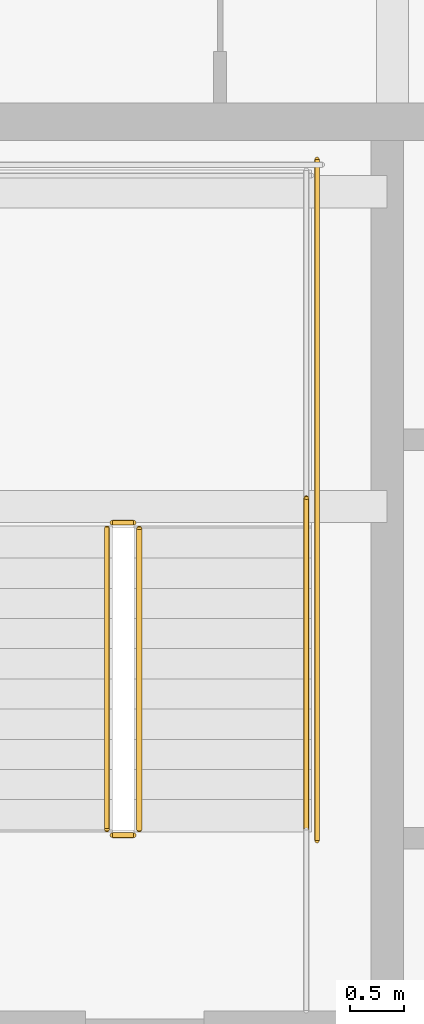
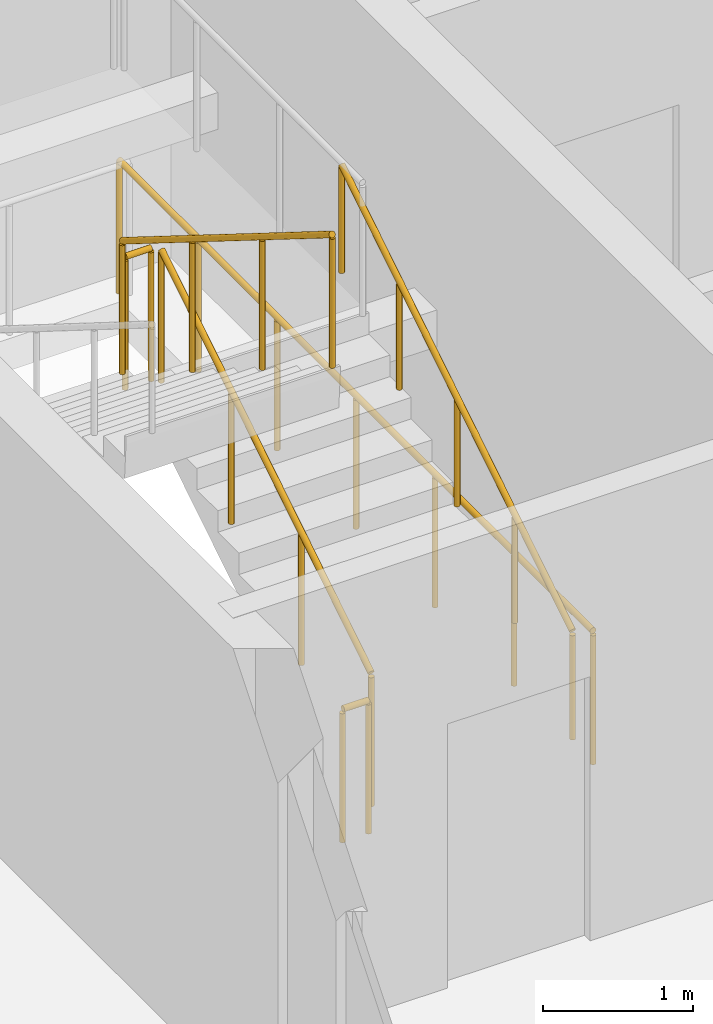
# One storey, part 33 of 36: 6 railings.
"""IFC4 building model written with IfcOpenShell, lengths in metres."""

from ifc_helpers import new_model, si_unit, direction, frame, origin, origin_2d, place, context, subcontext, project, spatial, circle, extrude, material, type_object, element, save


model = new_model("IFC4")

# Units and contexts
model_context = context("Model", 3, precision=1e-05, world=origin(), true_north=direction((0.0, 1.0)))
body_context = subcontext(model_context, "Body", "Model", "MODEL_VIEW")
ifc_project = project(units=[si_unit("LENGTHUNIT", "METRE"), si_unit("AREAUNIT", "SQUARE_METRE"), si_unit("VOLUMEUNIT", "CUBIC_METRE"), si_unit("PLANEANGLEUNIT", "RADIAN"), si_unit("MASSUNIT", "GRAM", prefix="KILO")], contexts=[model_context])

# Site, building, storey
site_placement = place(None, origin())
site = spatial("IfcSite", under=ifc_project, at=site_placement, CompositionType="ELEMENT")
building_placement = place(site_placement, origin())
building = spatial("IfcBuilding", under=site, at=building_placement, Name="Serunith Strait Residences", CompositionType="ELEMENT")
storey_placement = place(building_placement, frame((0.0, 0.0, 225.85009765625)))
storey = spatial("IfcBuildingStorey", under=building, at=storey_placement, Name="L56", CompositionType="ELEMENT", Elevation=225.85009765625)

# Railings
ifc_material = material(Name="Brushed stainless steel 316L", Category="steel")
railing_type_1 = type_object("IfcRailingType", Name="RLG-STAIR-GUARD", PredefinedType="BALUSTRADE", material=ifc_material)
railing_1_placement = place(storey_placement, frame((25.550048828125, 27.030029296875, 0.1748046875)))
element("IfcRailing", 1, at=railing_1_placement, inside=storey, type_object=railing_type_1, Name="L56 ST-1 stair guard 1", PredefinedType="BALUSTRADE", context=body_context, shape_type="SweptSolid", body=[
    extrude(circle(Radius=0.02392578125, at=origin_2d()), frame((0.0, 0.001708984375, 1.0771484375), z_axis=(0.0, 0.848002457836, 0.529992293815), x_axis=(-1.0, 0.0, 0.0)), (0.0, 0.0, 1.0), 3.2978515625),
    extrude(circle(Radius=0.02099609375, at=origin_2d()), origin(), (0.0, 0.0, 1.0), 1.050048828125),
    extrude(circle(Radius=0.02099609375, at=origin_2d()), frame((0.0, 0.933349609375, 0.583251953125)), (0.0, 0.0, 1.0), 1.050048828125),
    extrude(circle(Radius=0.02099609375, at=origin_2d()), frame((0.0, 1.86669921875, 1.166748046875)), (0.0, 0.0, 1.0), 1.050048828125),
    extrude(circle(Radius=0.02099609375, at=origin_2d()), frame((0.0, 2.800048828125, 1.75)), (0.0, 0.0, 1.0), 1.050048828125),
])
railing_2_placement = place(storey_placement, frame((25.5, 29.8798828125, 1.9248046875)))
element("IfcRailing", 2, at=railing_2_placement, inside=storey, type_object=railing_type_1, Name="L56 ST-1 stair guard 2", PredefinedType="BALUSTRADE", context=body_context, shape_type="SweptSolid", body=[
    extrude(circle(Radius=0.02392578125, at=origin_2d()), frame((-0.001953125, 0.0, 1.076171875), z_axis=(-1.0, 0.0, 0.0), x_axis=(0.0, -1.0, 0.0)), (0.0, 0.0, 1.0), 0.196044921875),
    extrude(circle(Radius=0.02099609375, at=origin_2d()), origin(), (0.0, 0.0, 1.0), 1.050048828125),
    extrude(circle(Radius=0.02099609375, at=origin_2d()), frame((-0.199951171875, 0.0, 0.0)), (0.0, 0.0, 1.0), 1.050048828125),
])
railing_3_placement = place(storey_placement, frame((25.25, 29.830078125, 2.099853515625)))
element("IfcRailing", 3, at=railing_3_placement, inside=storey, type_object=railing_type_1, Name="L56 ST-1 stair guard 6", PredefinedType="BALUSTRADE", context=body_context, shape_type="SweptSolid", body=[
    extrude(circle(Radius=0.02392578125, at=origin_2d()), frame((0.0, -0.001708984375, 1.0771484375), z_axis=(0.0, -0.848002457836, 0.529992293815), x_axis=(1.0, 0.0, 0.0)), (0.0, 0.0, 1.0), 3.2978515625),
    extrude(circle(Radius=0.02099609375, at=origin_2d()), origin(), (0.0, 0.0, 1.0), 1.050048828125),
    extrude(circle(Radius=0.02099609375, at=origin_2d()), frame((0.0, -0.933349609375, 0.583251953125)), (0.0, 0.0, 1.0), 1.050048828125),
    extrude(circle(Radius=0.02099609375, at=origin_2d()), frame((0.0, -1.86669921875, 1.166748046875)), (0.0, 0.0, 1.0), 1.050048828125),
    extrude(circle(Radius=0.02099609375, at=origin_2d()), frame((0.0, -2.800048828125, 1.75)), (0.0, 0.0, 1.0), 1.050048828125),
])
railing_4_placement = place(storey_placement, frame((25.5, 26.97998046875, 0.0)))
element("IfcRailing", 4, at=railing_4_placement, inside=storey, type_object=railing_type_1, Name="L56 ST-1 stair guard 7", PredefinedType="BALUSTRADE", context=body_context, shape_type="SweptSolid", body=[
    extrude(circle(Radius=0.02392578125, at=origin_2d()), frame((-0.001953125, 0.0, 1.076171875), z_axis=(-1.0, 0.0, 0.0), x_axis=(0.0, -1.0, 0.0)), (0.0, 0.0, 1.0), 0.196044921875),
    extrude(circle(Radius=0.02099609375, at=origin_2d()), origin(), (0.0, 0.0, 1.0), 1.050048828125),
    extrude(circle(Radius=0.02099609375, at=origin_2d()), frame((-0.199951171875, 0.0, 0.0)), (0.0, 0.0, 1.0), 1.050048828125),
])
railing_5_placement = place(storey_placement, frame((27.199951171875, 26.929931640625, 0.0)))
element("IfcRailing", 5, at=railing_5_placement, inside=storey, type_object=railing_type_1, Name="L56 ST-1 stair guard 10", PredefinedType="BALUSTRADE", context=body_context, shape_type="SweptSolid", body=[
    extrude(circle(Radius=0.02392578125, at=origin_2d()), frame((0.0, 0.001953125, 1.076171875), z_axis=(0.0, 1.0, 0.0), x_axis=(-1.0, 0.0, 0.0)), (0.0, 0.0, 1.0), 6.316162109375),
    extrude(circle(Radius=0.02099609375, at=origin_2d()), origin(), (0.0, 0.0, 1.0), 1.050048828125),
    extrude(circle(Radius=0.02099609375, at=origin_2d()), frame((0.0, 1.05322265625, 0.0)), (0.0, 0.0, 1.0), 1.050048828125),
    extrude(circle(Radius=0.02099609375, at=origin_2d()), frame((0.0, 2.106689453125, 0.0)), (0.0, 0.0, 1.0), 1.050048828125),
    extrude(circle(Radius=0.02099609375, at=origin_2d()), frame((0.0, 3.16015625, 0.0)), (0.0, 0.0, 1.0), 1.050048828125),
    extrude(circle(Radius=0.02099609375, at=origin_2d()), frame((0.0, 4.21337890625, 0.0)), (0.0, 0.0, 1.0), 1.050048828125),
    extrude(circle(Radius=0.02099609375, at=origin_2d()), frame((0.0, 5.2666015625, 0.0)), (0.0, 0.0, 1.0), 1.050048828125),
    extrude(circle(Radius=0.02099609375, at=origin_2d()), frame((0.0, 6.320068359375, 0.0)), (0.0, 0.0, 1.0), 1.050048828125),
])
railing_type_2 = type_object("IfcRailingType", Name="RLG-STAIR-HR", PredefinedType="HANDRAIL", material=ifc_material)
railing_6_placement = place(storey_placement, frame((27.10009765625, 27.030029296875, 0.1748046875)))
element("IfcRailing", 6, at=railing_6_placement, inside=storey, type_object=railing_type_2, Name="L56 ST-1 stair handrail 1", PredefinedType="HANDRAIL", context=body_context, shape_type="SweptSolid", body=[
    extrude(circle(Radius=0.02392578125, at=origin_2d()), frame((0.0, 0.001708984375, 0.876953125), z_axis=(0.0, 0.847363772988, 0.531012839984), x_axis=(-1.0, 0.0, 0.0)), (0.0, 0.0, 1.0), 3.630859375),
    extrude(circle(Radius=0.02099609375, at=origin_2d()), origin(), (0.0, 0.0, 1.0), 0.849853515625),
    extrude(circle(Radius=0.02099609375, at=origin_2d()), frame((0.0, 0.77001953125, 0.482421875)), (0.0, 0.0, 1.0), 0.849853515625),
    extrude(circle(Radius=0.02099609375, at=origin_2d()), frame((0.0, 1.5400390625, 0.965087890625)), (0.0, 0.0, 1.0), 0.849853515625),
    extrude(circle(Radius=0.02099609375, at=origin_2d()), frame((0.0, 2.31005859375, 1.44775390625)), (0.0, 0.0, 1.0), 0.849853515625),
    extrude(circle(Radius=0.02099609375, at=origin_2d()), frame((0.0, 3.080078125, 1.93017578125)), (0.0, 0.0, 1.0), 0.849853515625),
])

save(model, "model.ifc")
